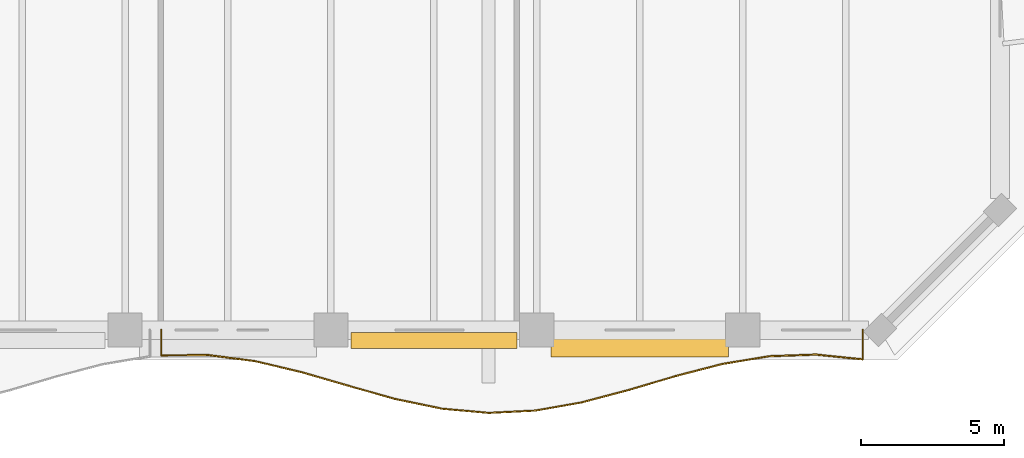
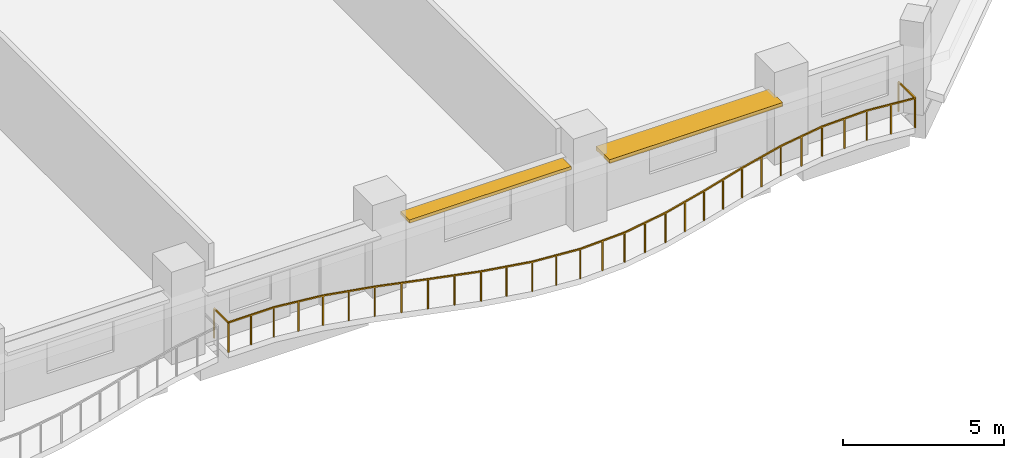
# One storey, part 14 of 15: 2 shading devices, 1 railing.
"""IFC4 building model written with IfcOpenShell, lengths in metres."""

from ifc_helpers import new_model, si_unit, direction, frame, origin, origin_2d, place, context, subcontext, project, spatial, rectangle, extrude, material, layer, layer_set, type_object, element, save


model = new_model("IFC4")

# Units and contexts
model_context = context("Model", 3, precision=1e-05, world=origin(), true_north=direction((0.0, 1.0)))
body_context = subcontext(model_context, "Body", "Model", "MODEL_VIEW")
ifc_project = project(units=[si_unit("LENGTHUNIT", "METRE"), si_unit("AREAUNIT", "SQUARE_METRE"), si_unit("VOLUMEUNIT", "CUBIC_METRE"), si_unit("PLANEANGLEUNIT", "RADIAN"), si_unit("MASSUNIT", "GRAM", prefix="KILO")], contexts=[model_context])

# Site, building, storey
site_placement = place(None, origin())
site = spatial("IfcSite", under=ifc_project, at=site_placement, CompositionType="ELEMENT")
building_placement = place(site_placement, origin())
building = spatial("IfcBuilding", under=site, at=building_placement, Name="Kaelvorn Grand Hotel", CompositionType="ELEMENT")
storey_placement = place(building_placement, frame((0.0, 0.0, 108.050048828125)))
storey = spatial("IfcBuildingStorey", under=building, at=storey_placement, Name="L25", CompositionType="ELEMENT", Elevation=108.050048828125)

# Railing
ifc_material_1 = material(Name="Stainless Steel", Category="steel")
railing_type = type_object("IfcRailingType", Name="RL-BALC-1150", PredefinedType="BALUSTRADE", material=ifc_material_1)
railing_placement = place(storey_placement, frame((54.666748046875, 0.0, 0.0)))
element("IfcRailing", 1, at=railing_placement, inside=storey, type_object=railing_type, Name="L25 Scalloped Wave Balcony Balustrade GR1-3", PredefinedType="BALUSTRADE", context=body_context, shape_type="SweptSolid", body=[
    extrude(rectangle(XDim=0.048095703125, YDim=0.048095703125, at=origin_2d()), frame((0.0, 0.0, 1.1259765625), z_axis=(0.0, -1.0, 0.0), x_axis=(1.0, 0.0, 0.0)), (0.0, 0.0, 1.0), 0.884521484375),
    extrude(rectangle(XDim=0.048095703125, YDim=0.048095703125, at=origin_2d()), frame((0.0, -0.884521484375, 1.1259765625), z_axis=(0.999978430437, 0.006568002827, 0.0), x_axis=(-0.006568002827, 0.999978430437, 0.0)), (0.0, 0.0, 1.0), 1.635498046875),
    extrude(rectangle(XDim=0.048095703125, YDim=0.048095703125, at=origin_2d()), frame((1.635498046875, -0.873779296875, 1.1259765625), z_axis=(0.991728699093, -0.128351811034, 0.0), x_axis=(0.128351811034, 0.991728699093, 0.0)), (0.0, 0.0, 1.0), 1.649169921875),
    extrude(rectangle(XDim=0.048095703125, YDim=0.048095703125, at=origin_2d()), frame((3.27099609375, -1.08544921875, 1.1259765625), z_axis=(0.973100001254, -0.230383132108, 0.0), x_axis=(0.230383132108, 0.973100001254, 0.0)), (0.0, 0.0, 1.0), 1.6806640625),
    extrude(rectangle(XDim=0.048095703125, YDim=0.048095703125, at=origin_2d()), frame((4.906494140625, -1.47265625, 1.1259765625), z_axis=(0.960083412967, -0.279713854047, 0.0), x_axis=(0.279713854047, 0.960083412967, 0.0)), (0.0, 0.0, 1.0), 1.703857421875),
    extrude(rectangle(XDim=0.048095703125, YDim=0.048095703125, at=origin_2d()), frame((6.542236328125, -1.94921875, 1.1259765625), z_axis=(0.962654451324, -0.270733092446, 0.0), x_axis=(0.270733092446, 0.962654451324, 0.0)), (0.0, 0.0, 1.0), 1.698974609375),
    extrude(rectangle(XDim=0.048095703125, YDim=0.048095703125, at=origin_2d()), frame((8.177734375, -2.4091796875, 1.1259765625), z_axis=(0.978911067954, -0.20428685968, 0.0), x_axis=(0.20428685968, 0.978911067954, 0.0)), (0.0, 0.0, 1.0), 1.670654296875),
    extrude(rectangle(XDim=0.048095703125, YDim=0.048095703125, at=origin_2d()), frame((9.813232421875, -2.75048828125, 1.1259765625), z_axis=(0.9959865086, -0.089503489801, 0.0), x_axis=(0.089503489801, 0.9959865086, 0.0)), (0.0, 0.0, 1.0), 1.64208984375),
    extrude(rectangle(XDim=0.048095703125, YDim=0.048095703125, at=origin_2d()), frame((11.44873046875, -2.8974609375, 1.1259765625), z_axis=(0.998796551064, 0.049045382881, 0.0), x_axis=(-0.049045382881, 0.998796551064, 0.0)), (0.0, 0.0, 1.0), 1.6376953125),
    extrude(rectangle(XDim=0.048095703125, YDim=0.048095703125, at=origin_2d()), frame((13.08447265625, -2.817138671875, 1.1259765625), z_axis=(0.984712445929, 0.174187826306, 0.0), x_axis=(-0.174187826306, 0.984712445929, 0.0)), (0.0, 0.0, 1.0), 1.660888671875),
    extrude(rectangle(XDim=0.048095703125, YDim=0.048095703125, at=origin_2d()), frame((14.719970703125, -2.52783203125, 1.1259765625), z_axis=(0.966464429191, 0.256800520072, 0.0), x_axis=(-0.256800520072, 0.966464429191, 0.0)), (0.0, 0.0, 1.0), 1.692138671875),
    extrude(rectangle(XDim=0.048095703125, YDim=0.048095703125, at=origin_2d()), frame((16.35546875, -2.09326171875, 1.1259765625), z_axis=(0.959066322629, 0.283181547419, 0.0), x_axis=(-0.283181547419, 0.959066322629, 0.0)), (0.0, 0.0, 1.0), 1.705322265625),
    extrude(rectangle(XDim=0.048095703125, YDim=0.048095703125, at=origin_2d()), frame((17.990966796875, -1.6103515625, 1.1259765625), z_axis=(0.967989097059, 0.250992246842, 0.0), x_axis=(-0.250992246842, 0.967989097059, 0.0)), (0.0, 0.0, 1.0), 1.689697265625),
    extrude(rectangle(XDim=0.048095703125, YDim=0.048095703125, at=origin_2d()), frame((19.62646484375, -1.186279296875, 1.1259765625), z_axis=(0.986528894242, 0.163587104702, 0.0), x_axis=(-0.163587104702, 0.986528894242, 0.0)), (0.0, 0.0, 1.0), 1.657958984375),
    extrude(rectangle(XDim=0.048095703125, YDim=0.048095703125, at=origin_2d()), frame((21.26220703125, -0.9150390625, 1.1259765625), z_axis=(0.999374770744, 0.035356295069, 0.0), x_axis=(-0.035356295069, 0.999374770744, 0.0)), (0.0, 0.0, 1.0), 1.636474609375),
    extrude(rectangle(XDim=0.048095703125, YDim=0.048095703125, at=origin_2d()), frame((22.897705078125, -0.857177734375, 1.1259765625), z_axis=(0.994767517021, -0.102164509884, 0.0), x_axis=(0.102164509884, 0.994767517021, 0.0)), (0.0, 0.0, 1.0), 1.64404296875),
    extrude(rectangle(XDim=0.048095703125, YDim=0.048095703125, at=origin_2d()), frame((24.533203125, -1.025146484375, 1.1259765625), z_axis=(0.0, 1.0, 0.0), x_axis=(-1.0, 0.0, 0.0)), (0.0, 0.0, 1.0), 1.025146484375),
    extrude(rectangle(XDim=0.0419921875, YDim=0.0419921875, at=origin_2d()), origin(), (0.0, 0.0, 1.0), 1.101806640625),
    extrude(rectangle(XDim=0.0419921875, YDim=0.0419921875, at=origin_2d()), frame((0.0, -0.884521484375, 0.0)), (0.0, 0.0, 1.0), 1.101806640625),
    extrude(rectangle(XDim=0.0419921875, YDim=0.0419921875, at=origin_2d()), frame((0.81787109375, -0.879150390625, 0.0)), (0.0, 0.0, 1.0), 1.101806640625),
    extrude(rectangle(XDim=0.0419921875, YDim=0.0419921875, at=origin_2d()), frame((1.635498046875, -0.873779296875, 0.0)), (0.0, 0.0, 1.0), 1.101806640625),
    extrude(rectangle(XDim=0.0419921875, YDim=0.0419921875, at=origin_2d()), frame((2.453125, -0.9794921875, 0.0)), (0.0, 0.0, 1.0), 1.101806640625),
    extrude(rectangle(XDim=0.0419921875, YDim=0.0419921875, at=origin_2d()), frame((3.27099609375, -1.08544921875, 0.0)), (0.0, 0.0, 1.0), 1.101806640625),
    extrude(rectangle(XDim=0.0419921875, YDim=0.0419921875, at=origin_2d()), frame((4.0888671875, -1.279052734375, 0.0)), (0.0, 0.0, 1.0), 1.101806640625),
    extrude(rectangle(XDim=0.0419921875, YDim=0.0419921875, at=origin_2d()), frame((4.906494140625, -1.47265625, 0.0)), (0.0, 0.0, 1.0), 1.101806640625),
    extrude(rectangle(XDim=0.0419921875, YDim=0.0419921875, at=origin_2d()), frame((5.724365234375, -1.7109375, 0.0)), (0.0, 0.0, 1.0), 1.101806640625),
    extrude(rectangle(XDim=0.0419921875, YDim=0.0419921875, at=origin_2d()), frame((6.542236328125, -1.94921875, 0.0)), (0.0, 0.0, 1.0), 1.101806640625),
    extrude(rectangle(XDim=0.0419921875, YDim=0.0419921875, at=origin_2d()), frame((7.35986328125, -2.17919921875, 0.0)), (0.0, 0.0, 1.0), 1.101806640625),
    extrude(rectangle(XDim=0.0419921875, YDim=0.0419921875, at=origin_2d()), frame((8.177734375, -2.4091796875, 0.0)), (0.0, 0.0, 1.0), 1.101806640625),
    extrude(rectangle(XDim=0.0419921875, YDim=0.0419921875, at=origin_2d()), frame((8.99560546875, -2.579833984375, 0.0)), (0.0, 0.0, 1.0), 1.101806640625),
    extrude(rectangle(XDim=0.0419921875, YDim=0.0419921875, at=origin_2d()), frame((9.813232421875, -2.75048828125, 0.0)), (0.0, 0.0, 1.0), 1.101806640625),
    extrude(rectangle(XDim=0.0419921875, YDim=0.0419921875, at=origin_2d()), frame((10.630859375, -2.823974609375, 0.0)), (0.0, 0.0, 1.0), 1.101806640625),
    extrude(rectangle(XDim=0.0419921875, YDim=0.0419921875, at=origin_2d()), frame((11.44873046875, -2.8974609375, 0.0)), (0.0, 0.0, 1.0), 1.101806640625),
    extrude(rectangle(XDim=0.0419921875, YDim=0.0419921875, at=origin_2d()), frame((12.2666015625, -2.857421875, 0.0)), (0.0, 0.0, 1.0), 1.101806640625),
    extrude(rectangle(XDim=0.0419921875, YDim=0.0419921875, at=origin_2d()), frame((13.08447265625, -2.817138671875, 0.0)), (0.0, 0.0, 1.0), 1.101806640625),
    extrude(rectangle(XDim=0.0419921875, YDim=0.0419921875, at=origin_2d()), frame((13.90234375, -2.67236328125, 0.0)), (0.0, 0.0, 1.0), 1.101806640625),
    extrude(rectangle(XDim=0.0419921875, YDim=0.0419921875, at=origin_2d()), frame((14.719970703125, -2.52783203125, 0.0)), (0.0, 0.0, 1.0), 1.101806640625),
    extrude(rectangle(XDim=0.0419921875, YDim=0.0419921875, at=origin_2d()), frame((15.53759765625, -2.310546875, 0.0)), (0.0, 0.0, 1.0), 1.101806640625),
    extrude(rectangle(XDim=0.0419921875, YDim=0.0419921875, at=origin_2d()), frame((16.35546875, -2.09326171875, 0.0)), (0.0, 0.0, 1.0), 1.101806640625),
    extrude(rectangle(XDim=0.0419921875, YDim=0.0419921875, at=origin_2d()), frame((17.17333984375, -1.851806640625, 0.0)), (0.0, 0.0, 1.0), 1.101806640625),
    extrude(rectangle(XDim=0.0419921875, YDim=0.0419921875, at=origin_2d()), frame((17.990966796875, -1.6103515625, 0.0)), (0.0, 0.0, 1.0), 1.101806640625),
    extrude(rectangle(XDim=0.0419921875, YDim=0.0419921875, at=origin_2d()), frame((18.80859375, -1.3984375, 0.0)), (0.0, 0.0, 1.0), 1.101806640625),
    extrude(rectangle(XDim=0.0419921875, YDim=0.0419921875, at=origin_2d()), frame((19.62646484375, -1.186279296875, 0.0)), (0.0, 0.0, 1.0), 1.101806640625),
    extrude(rectangle(XDim=0.0419921875, YDim=0.0419921875, at=origin_2d()), frame((20.4443359375, -1.05078125, 0.0)), (0.0, 0.0, 1.0), 1.101806640625),
    extrude(rectangle(XDim=0.0419921875, YDim=0.0419921875, at=origin_2d()), frame((21.26220703125, -0.9150390625, 0.0)), (0.0, 0.0, 1.0), 1.101806640625),
    extrude(rectangle(XDim=0.0419921875, YDim=0.0419921875, at=origin_2d()), frame((22.080078125, -0.88623046875, 0.0)), (0.0, 0.0, 1.0), 1.101806640625),
    extrude(rectangle(XDim=0.0419921875, YDim=0.0419921875, at=origin_2d()), frame((22.897705078125, -0.857177734375, 0.0)), (0.0, 0.0, 1.0), 1.101806640625),
    extrude(rectangle(XDim=0.0419921875, YDim=0.0419921875, at=origin_2d()), frame((23.71533203125, -0.941162109375, 0.0)), (0.0, 0.0, 1.0), 1.101806640625),
    extrude(rectangle(XDim=0.0419921875, YDim=0.0419921875, at=origin_2d()), frame((24.533203125, -1.025146484375, 0.0)), (0.0, 0.0, 1.0), 1.101806640625),
    extrude(rectangle(XDim=0.0419921875, YDim=0.0419921875, at=origin_2d()), frame((24.533203125, 0.0, 0.0)), (0.0, 0.0, 1.0), 1.101806640625),
])

# Shading devices
ifc_material_2 = material(Name="Precast concrete C45/55", Category="concrete")
ifc_layer_1 = layer(ifc_material_2, 0.1201171875)
ifc_layer_set_1 = layer_set([ifc_layer_1], Name="Precast concrete C45/55")
shading_device_type_1 = type_object("IfcShadingDeviceType", Name="SHD-SUNSHADE-550", PredefinedType="USERDEFINED", material=ifc_layer_set_1)
shading_device_1_placement = place(storey_placement, frame((64.199951171875, -0.364990234375, 2.419921875), z_axis=(0.0, 0.0, 1.0), x_axis=(1.0, 0.0, 0.0)))
element("IfcShadingDevice", 2, at=shading_device_1_placement, inside=storey, type_object=shading_device_type_1, Name="L25 Horizontal Concrete Sunshade Band SS-09", ObjectType="SUNSHADE", PredefinedType="USERDEFINED", context=body_context, shape_type="SweptSolid", body=[
    extrude(rectangle(XDim=5.800048828125, YDim=0.550048828125, at=origin_2d()), origin(), (0.0, 0.0, 1.0), 0.1201171875),
])
ifc_layer_2 = layer(ifc_material_2, 0.139892578125)
ifc_layer_set_2 = layer_set([ifc_layer_2], Name="Precast concrete C45/55")
shading_device_type_2 = type_object("IfcShadingDeviceType", Name="SHD-SUNSHADE-850", PredefinedType="USERDEFINED", material=ifc_layer_set_2)
shading_device_2_placement = place(storey_placement, frame((71.39990234375, -0.514892578125, 2.41015625), z_axis=(0.0, 0.0, 1.0), x_axis=(1.0, 0.0, 0.0)))
element("IfcShadingDevice", 3, at=shading_device_2_placement, inside=storey, type_object=shading_device_type_2, Name="L25 Horizontal Concrete Sunshade Band SS-10", ObjectType="SUNSHADE", PredefinedType="USERDEFINED", context=body_context, shape_type="SweptSolid", body=[
    extrude(rectangle(XDim=6.199951171875, YDim=0.85009765625, at=origin_2d()), origin(), (0.0, 0.0, 1.0), 0.139892578125),
])

save(model, "model.ifc")
